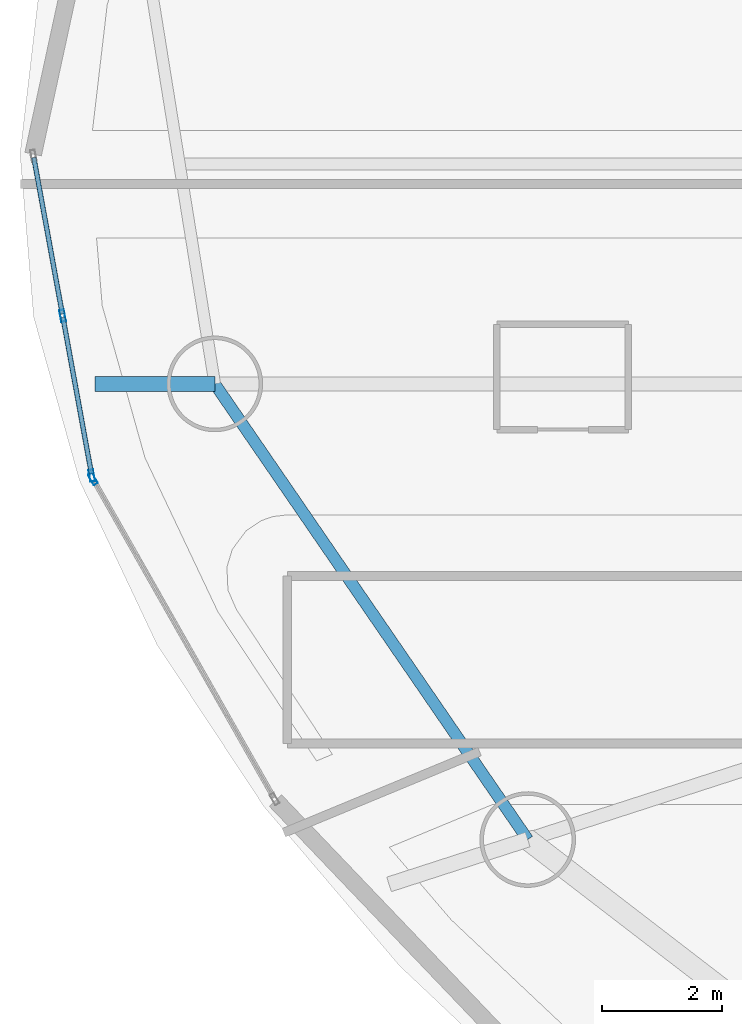
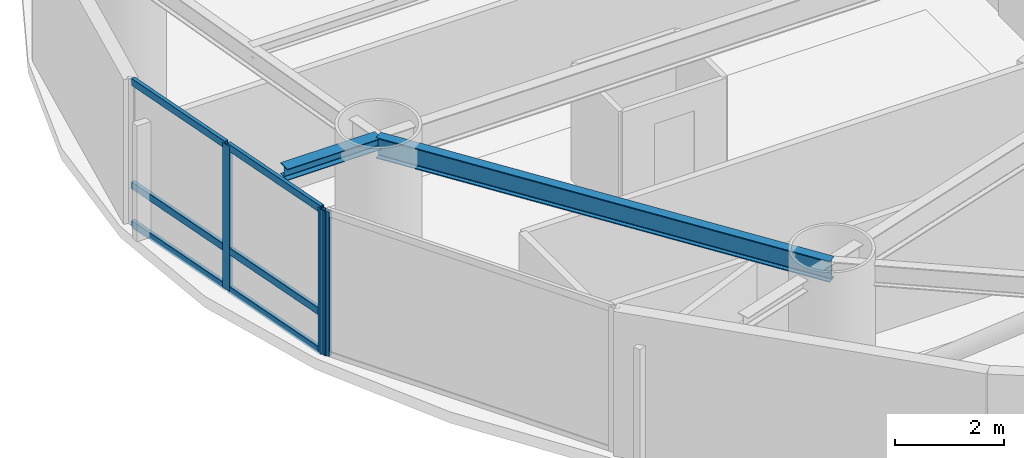
# One storey, part 5 of 27: 9 members, 2 beams, 2 elements without a shape of their own.
"""IFC4 building model written with IfcOpenShell, lengths in metres."""

from ifc_helpers import new_model, si_unit, direction, frame, origin, origin_2d, place, context, subcontext, project, spatial, hollow_rectangle, i_section, extrude, material, layer, layer_set, material_profile, profile_set, type_object, element, aggregate, save


model = new_model("IFC4")

# Units and contexts
model_context = context("Model", 3, precision=1e-05, world=origin(), true_north=direction((0.0, 1.0)))
body_context = subcontext(model_context, "Body", "Model", "MODEL_VIEW")
ifc_project = project(units=[si_unit("LENGTHUNIT", "METRE"), si_unit("AREAUNIT", "SQUARE_METRE"), si_unit("VOLUMEUNIT", "CUBIC_METRE"), si_unit("PLANEANGLEUNIT", "RADIAN"), si_unit("MASSUNIT", "GRAM", prefix="KILO")], contexts=[model_context])

# Site, building, storey
site_placement = place(None, origin())
site = spatial("IfcSite", under=ifc_project, at=site_placement, CompositionType="ELEMENT")
building_placement = place(site_placement, origin())
building = spatial("IfcBuilding", under=site, at=building_placement, Name="Bramvorn Convention Spire", CompositionType="ELEMENT")
storey_placement = place(building_placement, frame((0.0, 0.0, 41.39990234375)))
storey = spatial("IfcBuildingStorey", under=building, at=storey_placement, Name="L07", CompositionType="ELEMENT", Elevation=41.39990234375)

# Beams
ifc_material_1 = material(Name="Steel CSA G40.21 Grade 350 (350W)", Category="steel")
ifc_material_profile_1 = material_profile(ifc_material_1, i_section(OverallWidth=0.25390625, OverallDepth=0.2529296875, WebThickness=0.008544921875, FlangeThickness=0.01416015625, FilletRadius=0.011962890625, at=origin_2d()))
ifc_profile_set_1 = profile_set([ifc_material_profile_1], Name="Steel CSA G40.21 Grade 350 (350W) - W250X73")
beam_type_1 = type_object("IfcBeamType", Name="BM-W250X73", PredefinedType="BEAM", material=ifc_profile_set_1)
beam_1_placement = place(storey_placement, frame((10.661376953125, 22.659912109375, 3.12353515625), z_axis=(-1.0, 0.0, 0.0), x_axis=(0.0, -1.0, 0.0)))
element("IfcBeam", 1, at=beam_1_placement, inside=storey, type_object=beam_type_1, Name="L07 slab-edge cantilever tip beam MC10", PredefinedType="BEAM", context=body_context, shape_type="SweptSolid", body=[
    extrude(i_section(OverallWidth=0.25390625, OverallDepth=0.2529296875, WebThickness=0.008544921875, FlangeThickness=0.01416015625, FilletRadius=0.011962890625, at=origin_2d()), origin(), (0.0, 0.0, 1.0), 2.00146484375),
])
ifc_material_profile_2 = material_profile(ifc_material_1, i_section(OverallWidth=0.194091796875, OverallDepth=0.468994140625, WebThickness=0.0126953125, FlangeThickness=0.0205078125, FilletRadius=0.01806640625, at=origin_2d()))
ifc_profile_set_2 = profile_set([ifc_material_profile_2], Name="Steel CSA G40.21 Grade 350 (350W) - W460X106")
beam_type_2 = type_object("IfcBeamType", Name="BM-W460X106", PredefinedType="SPANDREL", material=ifc_profile_set_2)
beam_2_placement = place(storey_placement, frame((10.661376953125, 22.659912109375, 3.015625), z_axis=(0.566129730789, -0.824316157743, 0.0), x_axis=(0.824316157743, 0.566129730789, 0.0)))
element("IfcBeam", 2, at=beam_2_placement, inside=storey, type_object=beam_type_2, Name="L07 mega-column ring beam 10", PredefinedType="SPANDREL", context=body_context, shape_type="SweptSolid", body=[
    extrude(i_section(OverallWidth=0.194091796875, OverallDepth=0.468994140625, WebThickness=0.0126953125, FlangeThickness=0.0205078125, FilletRadius=0.01806640625, at=origin_2d()), origin(), (0.0, 0.0, 1.0), 9.244140625),
])

# Curtain wall, members
ifc_material_2 = material(Name="Anodised Bronze Unitised Curtain Wall", Category="aluminium")
ifc_layer = layer(ifc_material_2, 0.179931640625)
ifc_layer_set = layer_set([ifc_layer], Name="Anodised Bronze Unitised Curtain Wall - CW-HTL-FRIT")
curtain_wall_type = type_object("IfcCurtainWallType", Name="CW-HTL-FRIT", PredefinedType="USERDEFINED", material=ifc_layer_set)
curtain_wall_1_placement = place(storey_placement, origin())
curtain_wall_1 = element("IfcCurtainWall", 3, at=curtain_wall_1_placement, inside=storey, type_object=curtain_wall_type, Name="L07 fritted glass curtain wall 13", ObjectType="UNITISED CURTAIN WALL", PredefinedType="USERDEFINED")
ifc_material_3 = material(Name="Anodised Bronze Aluminium 6063-T6", Category="aluminium")
ifc_material_profile_3 = material_profile(ifc_material_3, hollow_rectangle(XDim=0.080078125, YDim=0.199951171875, WallThickness=0.00390625, InnerFilletRadius=0.0009765625, OuterFilletRadius=0.00390625, at=origin_2d()))
ifc_profile_set_3 = profile_set([ifc_material_profile_3], Name="Anodised Bronze Aluminium 6063-T6 - CWM80X200")
member_type_1 = type_object("IfcMemberType", Name="CW-MUL-180", PredefinedType="MULLION", material=ifc_profile_set_3)
member_1_placement = place(storey_placement, frame((8.605224609375, 21.125, 0.0), z_axis=(0.0, 0.0, 1.0), x_axis=(-0.983767592965, -0.179447270894, 0.0)))
member_1 = element("IfcMember", 4, at=member_1_placement, type_object=member_type_1, Name="CW2 mullion 1", PredefinedType="MULLION", context=body_context, shape_type="SweptSolid", body=[
    extrude(hollow_rectangle(XDim=0.080078125, YDim=0.199951171875, WallThickness=0.00390625, InnerFilletRadius=0.0009765625, OuterFilletRadius=0.00390625, at=origin_2d()), origin(), (0.0, 0.0, 1.0), 3.25),
])
member_2_placement = place(storey_placement, frame((8.117431640625, 23.799560546875, 0.0), z_axis=(0.0, 0.0, 1.0), x_axis=(-0.983767592965, -0.179447270894, 0.0)))
member_2 = element("IfcMember", 5, at=member_2_placement, type_object=member_type_1, Name="CW2 mullion 2", PredefinedType="MULLION", context=body_context, shape_type="SweptSolid", body=[
    extrude(hollow_rectangle(XDim=0.080078125, YDim=0.199951171875, WallThickness=0.00390625, InnerFilletRadius=0.0009765625, OuterFilletRadius=0.00390625, at=origin_2d()), origin(), (0.0, 0.0, 1.0), 3.25),
])

# Curtain wall, member
curtain_wall_2_placement = place(storey_placement, origin())
curtain_wall_2 = element("IfcCurtainWall", 6, at=curtain_wall_2_placement, inside=storey, type_object=curtain_wall_type, Name="L07 fritted glass curtain wall 14", ObjectType="UNITISED CURTAIN WALL", PredefinedType="USERDEFINED")
member_3_placement = place(storey_placement, frame((8.62548828125, 21.0693359375, 0.0), z_axis=(0.0, 0.0, 1.0), x_axis=(-0.869741940254, -0.49350679566, 0.0)))
member_3 = element("IfcMember", 7, at=member_3_placement, type_object=member_type_1, Name="CW2 mullion 2", PredefinedType="MULLION", context=body_context, shape_type="SweptSolid", body=[
    extrude(hollow_rectangle(XDim=0.080078125, YDim=0.199951171875, WallThickness=0.00390625, InnerFilletRadius=0.0009765625, OuterFilletRadius=0.00390625, at=origin_2d()), origin(), (0.0, 0.0, 1.0), 3.25),
])
aggregate(curtain_wall_2, [member_3])

# Member
ifc_material_profile_4 = material_profile(ifc_material_3, hollow_rectangle(XDim=0.080078125, YDim=0.159912109375, WallThickness=0.00390625, InnerFilletRadius=0.0009765625, OuterFilletRadius=0.00390625, at=origin_2d()))
ifc_profile_set_4 = profile_set([ifc_material_profile_4], Name="Anodised Bronze Aluminium 6063-T6 - CWT80X160")
member_type_2 = type_object("IfcMemberType", Name="CW-TRN-150", PredefinedType="USERDEFINED", material=ifc_profile_set_4)
member_4_placement = place(storey_placement, frame((8.599853515625, 21.154541015625, 0.030029296875), z_axis=(-0.179434918258, 0.983769846107, 0.0), x_axis=(-0.983769846107, -0.179434918258, 0.0)))
member_4 = element("IfcMember", 8, at=member_4_placement, type_object=member_type_2, Name="CW2 transom 1.1", ObjectType="TRANSOM", PredefinedType="USERDEFINED", context=body_context, shape_type="SweptSolid", body=[
    extrude(hollow_rectangle(XDim=0.080078125, YDim=0.159912109375, WallThickness=0.00390625, InnerFilletRadius=0.0009765625, OuterFilletRadius=0.00390625, at=origin_2d()), origin(), (0.0, 0.0, 1.0), 2.65869140625),
])

member_5_placement = place(storey_placement, frame((8.599853515625, 21.154541015625, 0.900146484375), z_axis=(-0.179434918258, 0.983769846107, 0.0), x_axis=(-0.983769846107, -0.179434918258, 0.0)))
member_5 = element("IfcMember", 9, at=member_5_placement, type_object=member_type_2, Name="CW2 transom 1.2", ObjectType="TRANSOM", PredefinedType="USERDEFINED", context=body_context, shape_type="SweptSolid", body=[
    extrude(hollow_rectangle(XDim=0.080078125, YDim=0.159912109375, WallThickness=0.00390625, InnerFilletRadius=0.0009765625, OuterFilletRadius=0.00390625, at=origin_2d()), origin(), (0.0, 0.0, 1.0), 2.65869140625),
])

member_6_placement = place(storey_placement, frame((8.599853515625, 21.154541015625, 3.22021484375), z_axis=(-0.179434918258, 0.983769846107, 0.0), x_axis=(-0.983769846107, -0.179434918258, 0.0)))
member_6 = element("IfcMember", 10, at=member_6_placement, type_object=member_type_2, Name="CW2 transom 1.3", ObjectType="TRANSOM", PredefinedType="USERDEFINED", context=body_context, shape_type="SweptSolid", body=[
    extrude(hollow_rectangle(XDim=0.080078125, YDim=0.159912109375, WallThickness=0.00390625, InnerFilletRadius=0.0009765625, OuterFilletRadius=0.00390625, at=origin_2d()), origin(), (0.0, 0.0, 1.0), 2.65869140625),
])

member_7_placement = place(storey_placement, frame((8.112060546875, 23.8291015625, 0.030029296875), z_axis=(-0.179434918258, 0.983769846107, 0.0), x_axis=(-0.983769846107, -0.179434918258, 0.0)))
member_7 = element("IfcMember", 11, at=member_7_placement, type_object=member_type_2, Name="CW2 transom 2.1", ObjectType="TRANSOM", PredefinedType="USERDEFINED", context=body_context, shape_type="SweptSolid", body=[
    extrude(hollow_rectangle(XDim=0.080078125, YDim=0.159912109375, WallThickness=0.00390625, InnerFilletRadius=0.0009765625, OuterFilletRadius=0.00390625, at=origin_2d()), origin(), (0.0, 0.0, 1.0), 2.65869140625),
])

member_8_placement = place(storey_placement, frame((8.112060546875, 23.8291015625, 0.900146484375), z_axis=(-0.179434918258, 0.983769846107, 0.0), x_axis=(-0.983769846107, -0.179434918258, 0.0)))
member_8 = element("IfcMember", 12, at=member_8_placement, type_object=member_type_2, Name="CW2 transom 2.2", ObjectType="TRANSOM", PredefinedType="USERDEFINED", context=body_context, shape_type="SweptSolid", body=[
    extrude(hollow_rectangle(XDim=0.080078125, YDim=0.159912109375, WallThickness=0.00390625, InnerFilletRadius=0.0009765625, OuterFilletRadius=0.00390625, at=origin_2d()), origin(), (0.0, 0.0, 1.0), 2.65869140625),
])

member_9_placement = place(storey_placement, frame((8.112060546875, 23.8291015625, 3.22021484375), z_axis=(-0.179434918258, 0.983769846107, 0.0), x_axis=(-0.983769846107, -0.179434918258, 0.0)))
member_9 = element("IfcMember", 13, at=member_9_placement, type_object=member_type_2, Name="CW2 transom 2.3", ObjectType="TRANSOM", PredefinedType="USERDEFINED", context=body_context, shape_type="SweptSolid", body=[
    extrude(hollow_rectangle(XDim=0.080078125, YDim=0.159912109375, WallThickness=0.00390625, InnerFilletRadius=0.0009765625, OuterFilletRadius=0.00390625, at=origin_2d()), origin(), (0.0, 0.0, 1.0), 2.65869140625),
])

aggregate(curtain_wall_1, [member_1, member_2, member_4, member_5, member_6, member_7, member_8, member_9])

save(model, "model.ifc")
